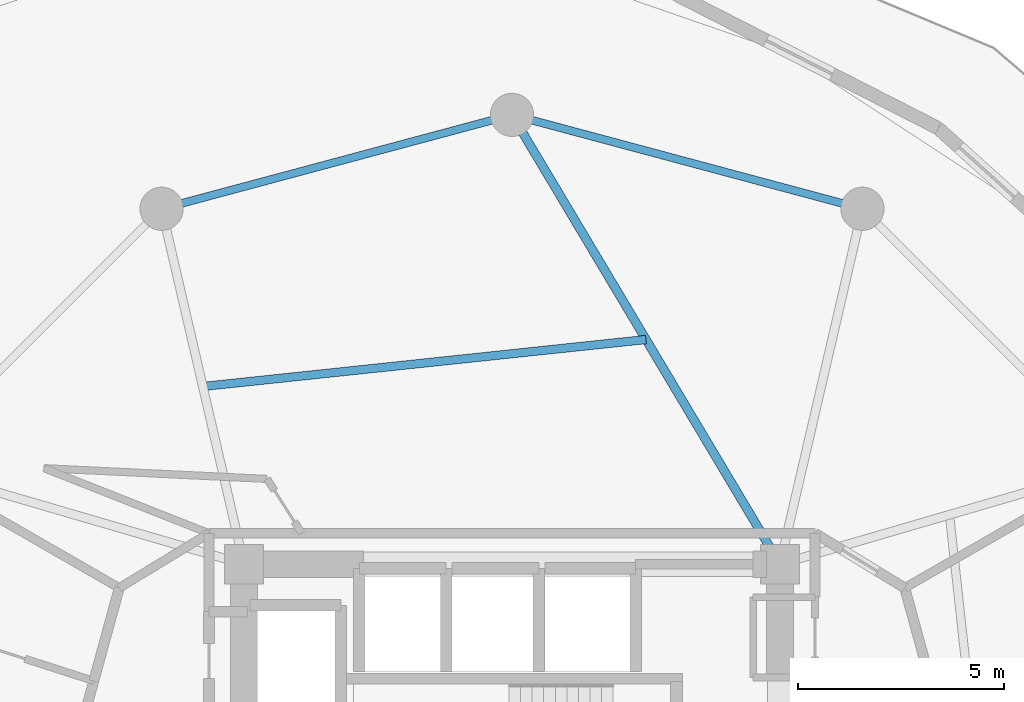
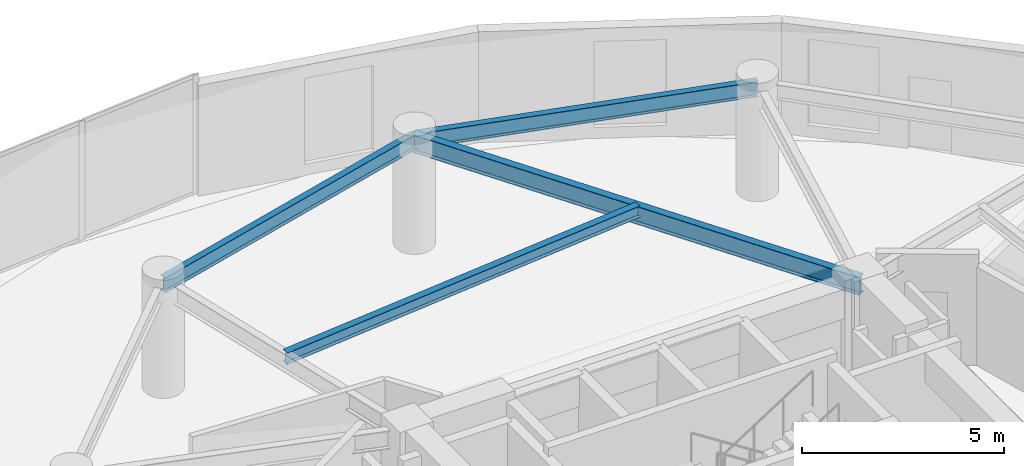
# One storey, part 17 of 25: 4 beams.
"""IFC4 building model written with IfcOpenShell, lengths in metres."""

from ifc_helpers import new_model, si_unit, direction, frame, origin, origin_2d, place, context, subcontext, project, spatial, i_section, extrude, material, material_profile, profile_set, type_object, element, save


model = new_model("IFC4")

# Units and contexts
model_context = context("Model", 3, precision=1e-05, world=origin(), true_north=direction((0.0, 1.0)))
body_context = subcontext(model_context, "Body", "Model", "MODEL_VIEW")
ifc_project = project(units=[si_unit("LENGTHUNIT", "METRE"), si_unit("AREAUNIT", "SQUARE_METRE"), si_unit("VOLUMEUNIT", "CUBIC_METRE"), si_unit("PLANEANGLEUNIT", "RADIAN"), si_unit("MASSUNIT", "GRAM", prefix="KILO")], contexts=[model_context])

# Site, building, storey
site_placement = place(None, origin())
site = spatial("IfcSite", under=ifc_project, at=site_placement, CompositionType="ELEMENT")
building_placement = place(site_placement, origin())
building = spatial("IfcBuilding", under=site, at=building_placement, Name="Solvirekh Grand Hotel", CompositionType="ELEMENT")
storey_placement = place(building_placement, frame((0.0, 0.0, 117.0)))
storey = spatial("IfcBuildingStorey", under=building, at=storey_placement, Name="L29", CompositionType="ELEMENT", Elevation=117.0)

# Beams
ifc_material = material(Name="Steel S355", Category="steel")
ifc_material_profile_1 = material_profile(ifc_material, i_section(OverallWidth=0.2119140625, OverallDepth=0.5439453125, WebThickness=0.011962890625, FlangeThickness=0.01904296875, FilletRadius=0.013916015625, at=origin_2d()), Name="W530X123")
ifc_profile_set_1 = profile_set([ifc_material_profile_1], Name="Steel S355")
beam_type_1 = type_object("IfcBeamType", Name="Beam_Radial_W530H", PredefinedType="BEAM", material=ifc_profile_set_1)
beam_1_placement = place(storey_placement, frame((6.5, 6.10009765625, 3.077880859375), z_axis=(-0.512179721377, 0.858878299301, 0.0), x_axis=(-0.858878299301, -0.512179721377, 0.0)))
element("IfcBeam", 1, at=beam_1_placement, inside=storey, type_object=beam_type_1, Name="L29 radial floor beam R04", PredefinedType="BEAM", context=body_context, shape_type="SweptSolid", body=[
    extrude(i_section(OverallWidth=0.2119140625, OverallDepth=0.5439453125, WebThickness=0.011962890625, FlangeThickness=0.01904296875, FilletRadius=0.013916015625, at=origin_2d()), origin(), (0.0, 0.0, 1.0), 12.69091796875),
])
ifc_material_profile_2 = material_profile(ifc_material, i_section(OverallWidth=0.2041015625, OverallDepth=0.35009765625, WebThickness=0.009033203125, FlangeThickness=0.014892578125, FilletRadius=0.010986328125, at=origin_2d()), Name="W360X72")
ifc_profile_set_2 = profile_set([ifc_material_profile_2], Name="Steel S355")
beam_type_2 = type_object("IfcBeamType", Name="Joist_Floor_W360", PredefinedType="JOIST", material=ifc_profile_set_2)
beam_2_placement = place(storey_placement, frame((3.25, 11.550048828125, 3.175048828125), z_axis=(-0.994432198761, -0.105378375714, 0.0), x_axis=(0.105378375714, -0.994432198761, 0.0)))
element("IfcBeam", 2, at=beam_2_placement, inside=storey, type_object=beam_type_2, Name="L29 secondary composite floor joist 4", PredefinedType="JOIST", context=body_context, shape_type="SweptSolid", body=[
    extrude(i_section(OverallWidth=0.2041015625, OverallDepth=0.35009765625, WebThickness=0.009033203125, FlangeThickness=0.014892578125, FilletRadius=0.010986328125, at=origin_2d()), origin(), (0.0, 0.0, 1.0), 10.810302734375),
])
ifc_material_profile_3 = material_profile(ifc_material, i_section(OverallWidth=0.18994140625, OverallDepth=0.45703125, WebThickness=0.009033203125, FlangeThickness=0.013916015625, FilletRadius=0.012939453125, at=origin_2d()), Name="W460X74")
ifc_profile_set_3 = profile_set([ifc_material_profile_3], Name="Steel S355")
beam_type_3 = type_object("IfcBeamType", Name="Spandrel_Ring_W460", PredefinedType="SPANDREL", material=ifc_profile_set_3)
for number, where, z_axis, x_axis, name in (
    (3, (8.5, 14.721923828125, 3.12109375), (-0.965911391906, 0.258872908946, 0.0), (-0.258872908946, -0.965911391906, 0.0), "L29 perimeter spandrel beam 3"),
    (4, (0.0, 17.0, 3.12109375), (-0.965911391906, -0.258872908946, 0.0), (0.258872908946, -0.965911391906, 0.0), "L29 perimeter spandrel beam 4"),
):
    element("IfcBeam", number, at=place(storey_placement, frame(where, z_axis=z_axis, x_axis=x_axis)), inside=storey, type_object=beam_type_3, Name=name, PredefinedType="SPANDREL", context=body_context, shape_type="SweptSolid", body=[
        extrude(i_section(OverallWidth=0.18994140625, OverallDepth=0.45703125, WebThickness=0.009033203125, FlangeThickness=0.013916015625, FilletRadius=0.012939453125, at=origin_2d()), origin(), (0.0, 0.0, 1.0), 8.800048828125),
    ])

save(model, "model.ifc")
